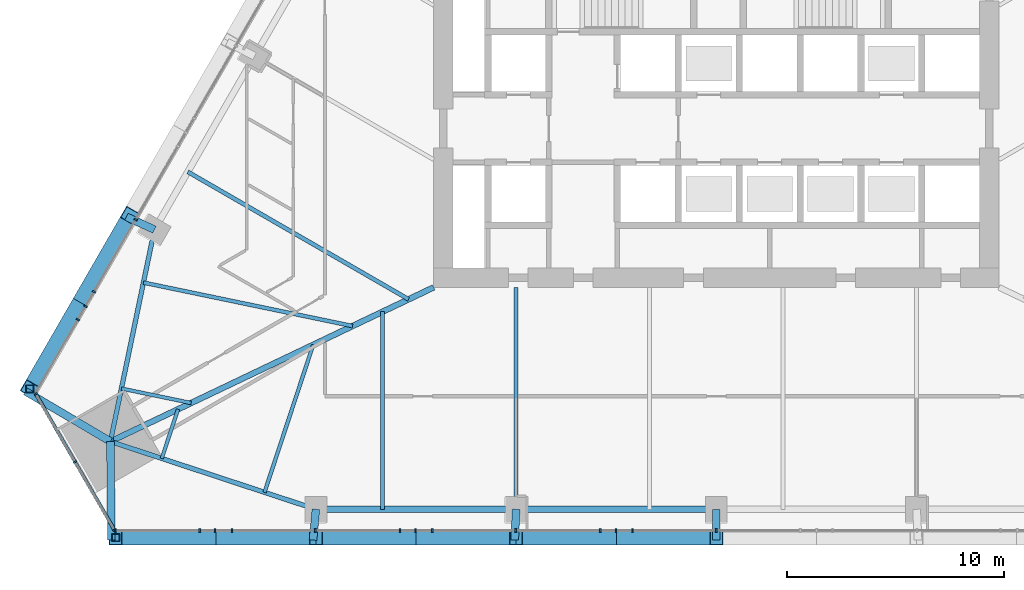
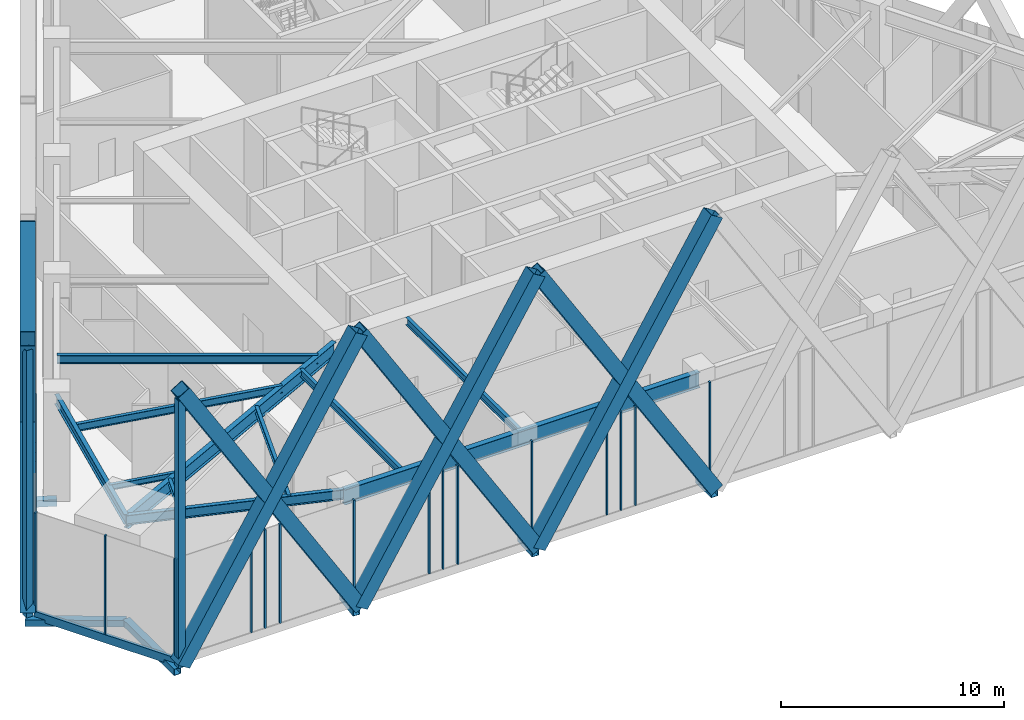
# One storey, part 2 of 21: 37 members, 11 beams, 3 elements without a shape of their own.
"""IFC4 building model written with IfcOpenShell, lengths in metres."""

from ifc_helpers import new_model, si_unit, direction, frame, origin, origin_2d, place, context, subcontext, project, spatial, rectangle, hollow_rectangle, i_section, extrude, material, layer, layer_set, material_profile, profile_set, type_object, element, aggregate, save


model = new_model("IFC4")

# Units and contexts
model_context = context("Model", 3, precision=1e-05, world=origin(), true_north=direction((0.0, 1.0)))
body_context = subcontext(model_context, "Body", "Model", "MODEL_VIEW")
ifc_project = project(units=[si_unit("LENGTHUNIT", "METRE"), si_unit("AREAUNIT", "SQUARE_METRE"), si_unit("VOLUMEUNIT", "CUBIC_METRE"), si_unit("PLANEANGLEUNIT", "RADIAN"), si_unit("MASSUNIT", "GRAM", prefix="KILO")], contexts=[model_context])

# Site, building, storey
site_placement = place(None, origin())
site = spatial("IfcSite", under=ifc_project, at=site_placement, CompositionType="ELEMENT")
building_placement = place(site_placement, origin())
building = spatial("IfcBuilding", under=site, at=building_placement, Name="Firuza Gate Tower and Library", CompositionType="ELEMENT")
storey_placement = place(building_placement, frame((0.0, 0.0, 140.800048828125)))
storey = spatial("IfcBuildingStorey", under=building, at=storey_placement, Name="L32", CompositionType="ELEMENT", Elevation=140.800048828125)

# Members
ifc_material_1 = material(Name="Steel S355", Category="steel")
ifc_material_profile_1 = material_profile(ifc_material_1, hollow_rectangle(XDim=0.699951171875, YDim=0.699951171875, WallThickness=0.030029296875, at=origin_2d()))
ifc_profile_set_1 = profile_set([ifc_material_profile_1], Name="Steel S355")
member_type_1 = type_object("IfcMemberType", Name="BU700x700x30 Lattice brace", PredefinedType="BRACE", material=ifc_profile_set_1)
for number, where, z_axis, x_axis, name in (
    (1, (47.3798828125, 54.49658203125, 0.0), (0.523098666339, 0.0, 0.852272130997), (0.0, 1.0, 0.0), "Lattice brace S 7.1R"),
    (2, (56.58642578125, 54.49658203125, 0.0), (-0.523098666339, 0.0, 0.852272130997), (0.0, -1.0, 0.0), "Lattice brace S 7.1L"),
    (3, (56.58642578125, 54.49658203125, 0.0), (0.523108742125, 0.0, 0.852265946705), (0.0, 1.0, 0.0), "Lattice brace S 7.2R"),
    (4, (65.793212890625, 54.49658203125, 0.0), (-0.523108742125, 0.0, 0.852265946705), (0.0, -1.0, 0.0), "Lattice brace S 7.2L"),
    (5, (65.793212890625, 54.49658203125, 0.0), (0.523108742125, 0.0, 0.852265946705), (0.0, 1.0, 0.0), "Lattice brace S 7.3R"),
    (6, (75.0, 54.49658203125, 0.0), (-0.523108742125, 0.0, 0.852265946705), (0.0, -1.0, 0.0), "Lattice brace S 7.3L"),
    (7, (48.03662109375, 69.30517578125, 0.0), (-0.261549033997, -0.453018740507, 0.852271156126), (0.866026610508, -0.499997909888, 0.0), "Lattice brace W 7.6R"),
    (8, (43.433349609375, 61.33203125, 0.0), (0.261549033997, 0.453018740507, 0.852271156126), (-0.866026610508, 0.499997909888, 0.0), "Lattice brace W 7.6L"),
):
    element("IfcMember", number, at=place(storey_placement, frame(where, z_axis=z_axis, x_axis=x_axis)), inside=storey, type_object=member_type_1, Name=name, PredefinedType="BRACE", context=body_context, shape_type="SweptSolid", body=[
        extrude(hollow_rectangle(XDim=0.699951171875, YDim=0.699951171875, WallThickness=0.030029296875, at=origin_2d()), origin(), (0.0, 0.0, 1.0), 17.60009765625),
    ])

# Curtain wall, members
ifc_material_2 = material(Name="Aluminium 6063-T6", Category="aluminium")
ifc_layer_1 = layer(ifc_material_2, 0.14990234375)
ifc_layer_set_1 = layer_set([ifc_layer_1], Name="Unitised curtain wall, offices")
curtain_wall_type_1 = type_object("IfcCurtainWallType", Name="Unitised curtain wall, offices", PredefinedType="NOTDEFINED", material=ifc_layer_set_1)
placement = place(storey_placement, origin())
curtain_wall_1 = element("IfcCurtainWall", 9, at=placement, inside=storey, type_object=curtain_wall_type_1, Name="CW1 L32 S face", PredefinedType="NOTDEFINED")
ifc_material_3 = material(Name="Aluminium 6063-T6", Category="aluminium")
ifc_material_profile_2 = material_profile(ifc_material_3, rectangle(XDim=0.14990234375, YDim=0.080078125, at=origin_2d()))
ifc_profile_set_2 = profile_set([ifc_material_profile_2], Name="Aluminium 6063-T6")
member_type_2 = type_object("IfcMemberType", Name="Curtain wall mullion 80x150", PredefinedType="MULLION", material=ifc_profile_set_2)
member_1_placement = place(storey_placement, frame((47.37646484375, 54.821533203125, 0.14990234375), z_axis=(0.0, 0.0, 1.0), x_axis=(0.0, 1.0, 0.0)))
member_1 = element("IfcMember", 10, at=member_1_placement, type_object=member_type_2, Name="Mullion", PredefinedType="MULLION", context=body_context, shape_type="SweptSolid", body=[
    extrude(rectangle(XDim=0.14990234375, YDim=0.080078125, at=origin_2d()), origin(), (0.0, 0.0, 1.0), 5.400146484375),
])
member_2_placement = place(storey_placement, frame((51.947021484375, 54.821533203125, 0.14990234375), z_axis=(0.0, 0.0, 1.0), x_axis=(0.0, 1.0, 0.0)))
member_2 = element("IfcMember", 11, at=member_2_placement, type_object=member_type_2, Name="Mullion", PredefinedType="MULLION", context=body_context, shape_type="SweptSolid", body=[
    extrude(rectangle(XDim=0.14990234375, YDim=0.080078125, at=origin_2d()), origin(), (0.0, 0.0, 1.0), 5.400146484375),
])
member_3_placement = place(storey_placement, frame((56.5576171875, 54.821533203125, 0.14990234375), z_axis=(0.0, 0.0, 1.0), x_axis=(0.0, 1.0, 0.0)))
member_3 = element("IfcMember", 12, at=member_3_placement, type_object=member_type_2, Name="Mullion", PredefinedType="MULLION", context=body_context, shape_type="SweptSolid", body=[
    extrude(rectangle(XDim=0.14990234375, YDim=0.080078125, at=origin_2d()), origin(), (0.0, 0.0, 1.0), 5.400146484375),
])
member_4_placement = place(storey_placement, frame((61.168212890625, 54.821533203125, 0.14990234375), z_axis=(0.0, 0.0, 1.0), x_axis=(0.0, 1.0, 0.0)))
member_4 = element("IfcMember", 13, at=member_4_placement, type_object=member_type_2, Name="Mullion", PredefinedType="MULLION", context=body_context, shape_type="SweptSolid", body=[
    extrude(rectangle(XDim=0.14990234375, YDim=0.080078125, at=origin_2d()), origin(), (0.0, 0.0, 1.0), 5.400146484375),
])
member_5_placement = place(storey_placement, frame((65.77880859375, 54.821533203125, 0.14990234375), z_axis=(0.0, 0.0, 1.0), x_axis=(0.0, 1.0, 0.0)))
member_5 = element("IfcMember", 14, at=member_5_placement, type_object=member_type_2, Name="Mullion", PredefinedType="MULLION", context=body_context, shape_type="SweptSolid", body=[
    extrude(rectangle(XDim=0.14990234375, YDim=0.080078125, at=origin_2d()), origin(), (0.0, 0.0, 1.0), 5.400146484375),
])
member_6_placement = place(storey_placement, frame((70.389404296875, 54.821533203125, 0.14990234375), z_axis=(0.0, 0.0, 1.0), x_axis=(0.0, 1.0, 0.0)))
member_6 = element("IfcMember", 15, at=member_6_placement, type_object=member_type_2, Name="Mullion", PredefinedType="MULLION", context=body_context, shape_type="SweptSolid", body=[
    extrude(rectangle(XDim=0.14990234375, YDim=0.080078125, at=origin_2d()), origin(), (0.0, 0.0, 1.0), 5.400146484375),
])
member_7_placement = place(storey_placement, frame((75.0, 54.821533203125, 0.14990234375), z_axis=(0.0, 0.0, 1.0), x_axis=(0.0, 1.0, 0.0)))
member_7 = element("IfcMember", 16, at=member_7_placement, type_object=member_type_2, Name="Mullion", PredefinedType="MULLION", context=body_context, shape_type="SweptSolid", body=[
    extrude(rectangle(XDim=0.14990234375, YDim=0.080078125, at=origin_2d()), origin(), (0.0, 0.0, 1.0), 5.400146484375),
])
member_8_placement = place(storey_placement, frame((51.241943359375, 54.821533203125, 0.14990234375), z_axis=(0.0, 0.0, 1.0), x_axis=(0.0, 1.0, 0.0)))
member_8 = element("IfcMember", 17, at=member_8_placement, type_object=member_type_2, Name="Mullion", PredefinedType="MULLION", context=body_context, shape_type="SweptSolid", body=[
    extrude(rectangle(XDim=0.14990234375, YDim=0.080078125, at=origin_2d()), origin(), (0.0, 0.0, 1.0), 5.400146484375),
])
member_9_placement = place(storey_placement, frame((52.724365234375, 54.821533203125, 0.14990234375), z_axis=(0.0, 0.0, 1.0), x_axis=(0.0, 1.0, 0.0)))
member_9 = element("IfcMember", 18, at=member_9_placement, type_object=member_type_2, Name="Mullion", PredefinedType="MULLION", context=body_context, shape_type="SweptSolid", body=[
    extrude(rectangle(XDim=0.14990234375, YDim=0.080078125, at=origin_2d()), origin(), (0.0, 0.0, 1.0), 5.400146484375),
])
member_10_placement = place(storey_placement, frame((60.44873046875, 54.821533203125, 0.14990234375), z_axis=(0.0, 0.0, 1.0), x_axis=(0.0, 1.0, 0.0)))
member_10 = element("IfcMember", 19, at=member_10_placement, type_object=member_type_2, Name="Mullion", PredefinedType="MULLION", context=body_context, shape_type="SweptSolid", body=[
    extrude(rectangle(XDim=0.14990234375, YDim=0.080078125, at=origin_2d()), origin(), (0.0, 0.0, 1.0), 5.400146484375),
])
member_11_placement = place(storey_placement, frame((61.93115234375, 54.821533203125, 0.14990234375), z_axis=(0.0, 0.0, 1.0), x_axis=(0.0, 1.0, 0.0)))
member_11 = element("IfcMember", 20, at=member_11_placement, type_object=member_type_2, Name="Mullion", PredefinedType="MULLION", context=body_context, shape_type="SweptSolid", body=[
    extrude(rectangle(XDim=0.14990234375, YDim=0.080078125, at=origin_2d()), origin(), (0.0, 0.0, 1.0), 5.400146484375),
])
member_12_placement = place(storey_placement, frame((69.655517578125, 54.821533203125, 0.14990234375), z_axis=(0.0, 0.0, 1.0), x_axis=(0.0, 1.0, 0.0)))
member_12 = element("IfcMember", 21, at=member_12_placement, type_object=member_type_2, Name="Mullion", PredefinedType="MULLION", context=body_context, shape_type="SweptSolid", body=[
    extrude(rectangle(XDim=0.14990234375, YDim=0.080078125, at=origin_2d()), origin(), (0.0, 0.0, 1.0), 5.400146484375),
])
member_13_placement = place(storey_placement, frame((71.137939453125, 54.821533203125, 0.14990234375), z_axis=(0.0, 0.0, 1.0), x_axis=(0.0, 1.0, 0.0)))
member_13 = element("IfcMember", 22, at=member_13_placement, type_object=member_type_2, Name="Mullion", PredefinedType="MULLION", context=body_context, shape_type="SweptSolid", body=[
    extrude(rectangle(XDim=0.14990234375, YDim=0.080078125, at=origin_2d()), origin(), (0.0, 0.0, 1.0), 5.400146484375),
])
aggregate(curtain_wall_1, [member_1, member_2, member_3, member_4, member_5, member_6, member_7, member_8, member_9, member_10, member_11, member_12, member_13])

curtain_wall_2 = element("IfcCurtainWall", 23, at=placement, inside=storey, type_object=curtain_wall_type_1, Name="CW1 L32 W face", PredefinedType="NOTDEFINED")
member_14_placement = place(storey_placement, frame((48.3037109375, 69.11767578125, 0.14990234375), z_axis=(0.0, 0.0, 1.0), x_axis=(0.866025403784, -0.5, 0.0)))
member_14 = element("IfcMember", 24, at=member_14_placement, type_object=member_type_2, Name="Mullion", PredefinedType="MULLION", context=body_context, shape_type="SweptSolid", body=[
    extrude(rectangle(XDim=0.14990234375, YDim=0.080078125, at=origin_2d()), origin(), (0.0, 0.0, 1.0), 5.400146484375),
])
member_15_placement = place(storey_placement, frame((45.99853515625, 65.124755859375, 0.14990234375), z_axis=(0.0, 0.0, 1.0), x_axis=(0.866025403784, -0.5, 0.0)))
member_15 = element("IfcMember", 25, at=member_15_placement, type_object=member_type_2, Name="Mullion", PredefinedType="MULLION", context=body_context, shape_type="SweptSolid", body=[
    extrude(rectangle(XDim=0.14990234375, YDim=0.080078125, at=origin_2d()), origin(), (0.0, 0.0, 1.0), 5.400146484375),
])
member_16_placement = place(storey_placement, frame((46.38720703125, 65.7978515625, 0.14990234375), z_axis=(0.0, 0.0, 1.0), x_axis=(0.866025403784, -0.5, 0.0)))
member_16 = element("IfcMember", 26, at=member_16_placement, type_object=member_type_2, Name="Mullion", PredefinedType="MULLION", context=body_context, shape_type="SweptSolid", body=[
    extrude(rectangle(XDim=0.14990234375, YDim=0.080078125, at=origin_2d()), origin(), (0.0, 0.0, 1.0), 5.400146484375),
])
member_17_placement = place(storey_placement, frame((45.64599609375, 64.51416015625, 0.14990234375), z_axis=(0.0, 0.0, 1.0), x_axis=(0.866025403784, -0.5, 0.0)))
member_17 = element("IfcMember", 27, at=member_17_placement, type_object=member_type_2, Name="Mullion", PredefinedType="MULLION", context=body_context, shape_type="SweptSolid", body=[
    extrude(rectangle(XDim=0.14990234375, YDim=0.080078125, at=origin_2d()), origin(), (0.0, 0.0, 1.0), 5.400146484375),
])
aggregate(curtain_wall_2, [member_14, member_15, member_16, member_17])

ifc_material_4 = material(Name="Aluminium 6063-T6", Category="aluminium")
ifc_layer_2 = layer(ifc_material_4, 0.14990234375)
ifc_layer_set_2 = layer_set([ifc_layer_2], Name="Corner curtain wall, chamfers")
curtain_wall_type_2 = type_object("IfcCurtainWallType", Name="Corner curtain wall, chamfers", PredefinedType="NOTDEFINED", material=ifc_layer_set_2)
curtain_wall_3 = element("IfcCurtainWall", 28, at=placement, inside=storey, type_object=curtain_wall_type_2, Name="CW4 L32 SW corner", PredefinedType="NOTDEFINED")
member_18_placement = place(storey_placement, frame((43.713134765625, 61.09716796875, 0.14990234375), z_axis=(0.0, 0.0, 1.0), x_axis=(0.866025403784, 0.5, 0.0)))
member_18 = element("IfcMember", 29, at=member_18_placement, type_object=member_type_2, Name="Mullion", PredefinedType="MULLION", context=body_context, shape_type="SweptSolid", body=[
    extrude(rectangle(XDim=0.14990234375, YDim=0.080078125, at=origin_2d()), origin(), (0.0, 0.0, 1.0), 5.400146484375),
])
member_19_placement = place(storey_placement, frame((45.514892578125, 57.976806640625, 0.14990234375), z_axis=(0.0, 0.0, 1.0), x_axis=(0.866025403784, 0.5, 0.0)))
member_19 = element("IfcMember", 30, at=member_19_placement, type_object=member_type_2, Name="Mullion", PredefinedType="MULLION", context=body_context, shape_type="SweptSolid", body=[
    extrude(rectangle(XDim=0.14990234375, YDim=0.080078125, at=origin_2d()), origin(), (0.0, 0.0, 1.0), 5.400146484375),
])
member_20_placement = place(storey_placement, frame((47.31640625, 54.856201171875, 0.14990234375), z_axis=(0.0, 0.0, 1.0), x_axis=(0.866025403784, 0.5, 0.0)))
member_20 = element("IfcMember", 31, at=member_20_placement, type_object=member_type_2, Name="Mullion", PredefinedType="MULLION", context=body_context, shape_type="SweptSolid", body=[
    extrude(rectangle(XDim=0.14990234375, YDim=0.080078125, at=origin_2d()), origin(), (0.0, 0.0, 1.0), 5.400146484375),
])
ifc_material_5 = material(Name="Aluminium 6063-T6", Category="aluminium")
ifc_material_profile_3 = material_profile(ifc_material_5, rectangle(XDim=0.14990234375, YDim=0.449951171875, at=origin_2d()))
ifc_profile_set_3 = profile_set([ifc_material_profile_3], Name="Aluminium 6063-T6")
member_type_3 = type_object("IfcMemberType", Name="Curtain wall transom 450x150", PredefinedType="USERDEFINED", material=ifc_profile_set_3)
member_21_placement = place(storey_placement, frame((43.693115234375, 61.1318359375, -0.074951171875), z_axis=(0.500005719219, -0.866022101766, 0.0), x_axis=(0.866022101766, 0.500005719219, 0.0)))
member_21 = element("IfcMember", 32, at=member_21_placement, type_object=member_type_3, Name="Transom", ObjectType="TRANSOM", PredefinedType="USERDEFINED", context=body_context, shape_type="SweptSolid", body=[
    extrude(rectangle(XDim=0.14990234375, YDim=0.449951171875, at=origin_2d()), origin(), (0.0, 0.0, 1.0), 7.28662109375),
])
aggregate(curtain_wall_3, [member_18, member_19, member_20, member_21])

# Members
ifc_material_6 = material(Name="Steel S355", Category="steel")
ifc_material_profile_4 = material_profile(ifc_material_6, hollow_rectangle(XDim=0.355712890625, YDim=0.355712890625, WallThickness=0.014892578125, at=origin_2d()))
ifc_profile_set_4 = profile_set([ifc_material_profile_4], Name="Steel S355")
member_type_4 = type_object("IfcMemberType", Name="HSS356x356x16 Lattice corner stile", PredefinedType="BRACE", material=ifc_profile_set_4)
for number, where, z_axis, x_axis, name in (
    (33, (47.3798828125, 54.49658203125, -0.14013671875), (0.0, 0.0, 1.0), (1.0, 0.0, 0.0), "Lattice corner stile S 7.A"),
    (34, (43.433349609375, 61.33203125, -0.14013671875), (0.0, 0.0, 1.0), (1.0, 0.0, 0.0), "Lattice corner stile W 7.B"),
):
    element("IfcMember", number, at=place(storey_placement, frame(where, z_axis=z_axis, x_axis=x_axis)), inside=storey, type_object=member_type_4, Name=name, PredefinedType="BRACE", context=body_context, shape_type="SweptSolid", body=[
        extrude(hollow_rectangle(XDim=0.355712890625, YDim=0.355712890625, WallThickness=0.014892578125, at=origin_2d()), origin(), (0.0, 0.0, 1.0), 14.64013671875),
    ])
ifc_material_7 = material(Name="Steel S355", Category="steel")
ifc_material_profile_5 = material_profile(ifc_material_7, hollow_rectangle(XDim=0.355712890625, YDim=0.355712890625, WallThickness=0.014892578125, at=origin_2d()))
ifc_profile_set_5 = profile_set([ifc_material_profile_5], Name="Steel S355")
member_type_5 = type_object("IfcMemberType", Name="HSS356x356x16 Lattice node tie", PredefinedType="BRACE", material=ifc_profile_set_5)
member_22_placement = place(storey_placement, frame((47.138671875, 58.914306640625, -0.320068359375), z_axis=(0.009805563051, -0.999951924311, 0.0), x_axis=(0.999951924311, 0.009805563051, 0.0)))
element("IfcMember", 35, at=member_22_placement, inside=storey, type_object=member_type_5, Name="Lattice node tie S L32 134", PredefinedType="BRACE", context=body_context, shape_type="SweptSolid", body=[
    extrude(hollow_rectangle(XDim=0.355712890625, YDim=0.355712890625, WallThickness=0.014892578125, at=origin_2d()), origin(), (0.0, 0.0, 1.0), 4.531494140625),
])
member_23_placement = place(storey_placement, frame((56.58642578125, 55.796630859375, -0.320068359375), z_axis=(-0.092349775402, -0.99572662864, 0.0), x_axis=(0.99572662864, -0.092349775402, 0.0)))
element("IfcMember", 36, at=member_23_placement, inside=storey, type_object=member_type_5, Name="Lattice node tie S L32 135", PredefinedType="BRACE", context=body_context, shape_type="SweptSolid", body=[
    extrude(hollow_rectangle(XDim=0.355712890625, YDim=0.355712890625, WallThickness=0.014892578125, at=origin_2d()), origin(), (0.0, 0.0, 1.0), 1.419677734375),
])
member_24_placement = place(storey_placement, frame((65.793212890625, 55.796630859375, -0.320068359375), z_axis=(-0.046237197067, -0.998930488877, 0.0), x_axis=(0.998930488877, -0.046237197067, 0.0)))
element("IfcMember", 37, at=member_24_placement, inside=storey, type_object=member_type_5, Name="Lattice node tie S L32 136", PredefinedType="BRACE", context=body_context, shape_type="SweptSolid", body=[
    extrude(hollow_rectangle(XDim=0.355712890625, YDim=0.355712890625, WallThickness=0.014892578125, at=origin_2d()), origin(), (0.0, 0.0, 1.0), 1.4150390625),
])
member_25_placement = place(storey_placement, frame((75.0, 55.796630859375, -0.320068359375), z_axis=(0.0, -1.0, 0.0), x_axis=(1.0, 0.0, 0.0)))
element("IfcMember", 38, at=member_25_placement, inside=storey, type_object=member_type_5, Name="Lattice node tie S L32 137", PredefinedType="BRACE", context=body_context, shape_type="SweptSolid", body=[
    extrude(hollow_rectangle(XDim=0.355712890625, YDim=0.355712890625, WallThickness=0.014892578125, at=origin_2d()), origin(), (0.0, 0.0, 1.0), 1.41357421875),
])
member_26_placement = place(storey_placement, frame((47.138671875, 58.914306640625, -0.320068359375), z_axis=(-0.861065933124, 0.508493322289, 0.0), x_axis=(-0.508493322289, -0.861065933124, 0.0)))
element("IfcMember", 39, at=member_26_placement, inside=storey, type_object=member_type_5, Name="Lattice node tie W L32 141", PredefinedType="BRACE", context=body_context, shape_type="SweptSolid", body=[
    extrude(hollow_rectangle(XDim=0.355712890625, YDim=0.355712890625, WallThickness=0.014892578125, at=origin_2d()), origin(), (0.0, 0.0, 1.0), 4.531494140625),
])
member_27_placement = place(storey_placement, frame((49.16259765625, 68.6552734375, -0.320068359375), z_axis=(-0.908502204446, 0.417880059966, 0.0), x_axis=(-0.417880059966, -0.908502204446, 0.0)))
element("IfcMember", 40, at=member_27_placement, inside=storey, type_object=member_type_5, Name="Lattice node tie W L32 142", PredefinedType="BRACE", context=body_context, shape_type="SweptSolid", body=[
    extrude(hollow_rectangle(XDim=0.355712890625, YDim=0.355712890625, WallThickness=0.014892578125, at=origin_2d()), origin(), (0.0, 0.0, 1.0), 1.419677734375),
])

# Beams
ifc_material_8 = material(Name="Steel S355", Category="steel")
ifc_material_profile_6 = material_profile(ifc_material_8, i_section(OverallWidth=0.1650390625, OverallDepth=0.31005859375, WebThickness=0.005859375, FlangeThickness=0.009765625, at=origin_2d()))
ifc_profile_set_6 = profile_set([ifc_material_profile_6], Name="Steel S355")
beam_type_1 = type_object("IfcBeamType", Name="W310x39 Floor beam", PredefinedType="JOIST", material=ifc_profile_set_6)
beam_1_placement = place(storey_placement, frame((47.64453125, 61.349365234375, 5.39501953125), z_axis=(0.979099383783, -0.203382390279, 0.0), x_axis=(0.203382390279, 0.979099383783, 0.0)))
element("IfcBeam", 41, at=beam_1_placement, inside=storey, type_object=beam_type_1, Name="Floor beam L32 s01", PredefinedType="JOIST", context=body_context, shape_type="SweptSolid", body=[
    extrude(i_section(OverallWidth=0.1650390625, OverallDepth=0.31005859375, WebThickness=0.005859375, FlangeThickness=0.009765625, at=origin_2d()), origin(), (0.0, 0.0, 1.0), 3.2734375),
])
beam_2_placement = place(storey_placement, frame((49.50048828125, 58.134765625, 5.39501953125), z_axis=(0.313396868635, 0.949622242121, 0.0), x_axis=(-0.949622242121, 0.313396868635, 0.0)))
element("IfcBeam", 42, at=beam_2_placement, inside=storey, type_object=beam_type_1, Name="Floor beam L32 s10", PredefinedType="JOIST", context=body_context, shape_type="SweptSolid", body=[
    extrude(i_section(OverallWidth=0.1650390625, OverallDepth=0.31005859375, WebThickness=0.005859375, FlangeThickness=0.009765625, at=origin_2d()), origin(), (0.0, 0.0, 1.0), 2.38134765625),
])
ifc_material_9 = material(Name="Steel S355", Category="steel")
ifc_material_profile_7 = material_profile(ifc_material_9, i_section(OverallWidth=0.1708984375, OverallDepth=0.35498046875, WebThickness=0.007080078125, FlangeThickness=0.01171875, at=origin_2d()))
ifc_profile_set_7 = profile_set([ifc_material_profile_7], Name="Steel S355")
beam_type_2 = type_object("IfcBeamType", Name="W360x51 Floor beam", PredefinedType="JOIST", material=ifc_profile_set_7)
beam_3_placement = place(storey_placement, frame((54.224609375, 56.575927734375, 5.37255859375), z_axis=(0.313345402972, 0.94963922541, 0.0), x_axis=(-0.94963922541, 0.313345402972, 0.0)))
element("IfcBeam", 43, at=beam_3_placement, inside=storey, type_object=beam_type_2, Name="Floor beam L32 s11", PredefinedType="JOIST", context=body_context, shape_type="SweptSolid", body=[
    extrude(i_section(OverallWidth=0.1708984375, OverallDepth=0.35498046875, WebThickness=0.007080078125, FlangeThickness=0.01171875, at=origin_2d()), origin(), (0.0, 0.0, 1.0), 7.14404296875),
])
ifc_material_10 = material(Name="Steel S355", Category="steel")
ifc_material_profile_8 = material_profile(ifc_material_10, i_section(OverallWidth=0.177978515625, OverallDepth=0.406982421875, WebThickness=0.0078125, FlangeThickness=0.0126953125, at=origin_2d()))
ifc_profile_set_8 = profile_set([ifc_material_profile_8], Name="Steel S355")
beam_type_3 = type_object("IfcBeamType", Name="W410x60 Floor beam", PredefinedType="JOIST", material=ifc_profile_set_8)
beam_4_placement = place(storey_placement, frame((48.656494140625, 66.219970703125, 5.346435546875), z_axis=(0.979087424009, -0.203439957104, 0.0), x_axis=(0.203439957104, 0.979087424009, 0.0)))
element("IfcBeam", 44, at=beam_4_placement, inside=storey, type_object=beam_type_3, Name="Floor beam L32 s00", PredefinedType="JOIST", context=body_context, shape_type="SweptSolid", body=[
    extrude(i_section(OverallWidth=0.177978515625, OverallDepth=0.406982421875, WebThickness=0.0078125, FlangeThickness=0.0126953125, at=origin_2d()), origin(), (0.0, 0.0, 1.0), 9.820068359375),
])
beam_5_placement = place(storey_placement, frame((59.655517578125, 55.796630859375, 5.346435546875), z_axis=(0.0, 1.0, 0.0), x_axis=(-1.0, 0.0, 0.0)))
element("IfcBeam", 45, at=beam_5_placement, inside=storey, type_object=beam_type_3, Name="Floor beam L32 s20", PredefinedType="JOIST", context=body_context, shape_type="SweptSolid", body=[
    extrude(i_section(OverallWidth=0.177978515625, OverallDepth=0.406982421875, WebThickness=0.0078125, FlangeThickness=0.0126953125, at=origin_2d()), origin(), (0.0, 0.0, 1.0), 9.08544921875),
])
beam_6_placement = place(storey_placement, frame((65.793212890625, 55.796630859375, 5.346435546875), z_axis=(0.0, 1.0, 0.0), x_axis=(-1.0, 0.0, 0.0)))
element("IfcBeam", 46, at=beam_6_placement, inside=storey, type_object=beam_type_3, Name="Floor beam L32 s21", PredefinedType="JOIST", context=body_context, shape_type="SweptSolid", body=[
    extrude(i_section(OverallWidth=0.177978515625, OverallDepth=0.406982421875, WebThickness=0.0078125, FlangeThickness=0.0126953125, at=origin_2d()), origin(), (0.0, 0.0, 1.0), 10.203369140625),
])
ifc_material_11 = material(Name="Steel S355", Category="steel")
ifc_material_profile_9 = material_profile(ifc_material_11, i_section(OverallWidth=0.18994140625, OverallDepth=0.45703125, WebThickness=0.009033203125, FlangeThickness=0.014404296875, at=origin_2d()))
ifc_profile_set_9 = profile_set([ifc_material_profile_9], Name="Steel S355")
beam_type_4 = type_object("IfcBeamType", Name="W460x74 Floor beam", PredefinedType="JOIST", material=ifc_profile_set_9)
beam_7_placement = place(storey_placement, frame((50.697021484375, 71.31298828125, 5.321533203125), z_axis=(0.866021197775, -0.500007284951, 0.0), x_axis=(0.500007284951, 0.866021197775, 0.0)))
element("IfcBeam", 47, at=beam_7_placement, inside=storey, type_object=beam_type_4, Name="Floor beam L32 s85", PredefinedType="JOIST", context=body_context, shape_type="SweptSolid", body=[
    extrude(i_section(OverallWidth=0.18994140625, OverallDepth=0.45703125, WebThickness=0.009033203125, FlangeThickness=0.014404296875, at=origin_2d()), origin(), (0.0, 0.0, 1.0), 11.722900390625),
])
ifc_material_12 = material(Name="Steel S355", Category="steel")
ifc_material_profile_10 = material_profile(ifc_material_12, i_section(OverallWidth=0.212890625, OverallDepth=0.5390625, WebThickness=0.01171875, FlangeThickness=0.018798828125, at=origin_2d()))
ifc_profile_set_10 = profile_set([ifc_material_profile_10], Name="Steel S355")
beam_type_5 = type_object("IfcBeamType", Name="W530x109 Edge beam", PredefinedType="SPANDREL", material=ifc_profile_set_10)
for number, where, z_axis, x_axis, name in (
    (48, (49.16259765625, 68.6552734375, 5.280517578125), (-0.203429959783, -0.979089501252, 0.0), (0.979089501252, -0.203429959783, 0.0), "Edge beam L32 e00"),
    (49, (47.138671875, 58.914306640625, 5.280517578125), (0.949631132017, -0.313369930122, 0.0), (0.313369930122, 0.949631132017, 0.0), "Edge beam L32 e10"),
):
    element("IfcBeam", number, at=place(storey_placement, frame(where, z_axis=z_axis, x_axis=x_axis)), inside=storey, type_object=beam_type_5, Name=name, PredefinedType="SPANDREL", context=body_context, shape_type="SweptSolid", body=[
        extrude(i_section(OverallWidth=0.212890625, OverallDepth=0.5390625, WebThickness=0.01171875, FlangeThickness=0.018798828125, at=origin_2d()), origin(), (0.0, 0.0, 1.0), 9.948974609375),
    ])
ifc_material_13 = material(Name="Steel S355", Category="steel")
ifc_material_profile_11 = material_profile(ifc_material_13, i_section(OverallWidth=0.264892578125, OverallDepth=0.7529296875, WebThickness=0.01318359375, FlangeThickness=0.01708984375, at=origin_2d()))
ifc_profile_set_11 = profile_set([ifc_material_profile_11], Name="Steel S355")
beam_type_6 = type_object("IfcBeamType", Name="W760x147 Girder", PredefinedType="BEAM", material=ifc_profile_set_11)
beam_8_placement = place(storey_placement, frame((47.138671875, 58.914306640625, 5.17333984375), z_axis=(0.90265127557, 0.430372716041, 0.0), x_axis=(-0.430372716041, 0.90265127557, 0.0)))
element("IfcBeam", 50, at=beam_8_placement, inside=storey, type_object=beam_type_6, Name="Girder L32 gSW", PredefinedType="BEAM", context=body_context, shape_type="SweptSolid", body=[
    extrude(i_section(OverallWidth=0.264892578125, OverallDepth=0.7529296875, WebThickness=0.01318359375, FlangeThickness=0.01708984375, at=origin_2d()), origin(), (0.0, 0.0, 1.0), 16.464111328125),
])
ifc_material_14 = material(Name="Steel S355", Category="steel")
ifc_material_profile_12 = material_profile(ifc_material_14, i_section(OverallWidth=0.2919921875, OverallDepth=0.8349609375, WebThickness=0.013916015625, FlangeThickness=0.018798828125, at=origin_2d()))
ifc_profile_set_12 = profile_set([ifc_material_profile_12], Name="Steel S355")
beam_type_7 = type_object("IfcBeamType", Name="W840x176 Edge beam", PredefinedType="SPANDREL", material=ifc_profile_set_12)
beam_9_placement = place(storey_placement, frame((56.58642578125, 55.796630859375, 5.132568359375), z_axis=(1.0, 0.0, 0.0), x_axis=(0.0, 1.0, 0.0)))
element("IfcBeam", 51, at=beam_9_placement, inside=storey, type_object=beam_type_7, Name="Edge beam L32 e20", PredefinedType="SPANDREL", context=body_context, shape_type="SweptSolid", body=[
    extrude(i_section(OverallWidth=0.2919921875, OverallDepth=0.8349609375, WebThickness=0.013916015625, FlangeThickness=0.018798828125, at=origin_2d()), origin(), (0.0, 0.0, 1.0), 18.41357421875),
])

save(model, "model.ifc")
